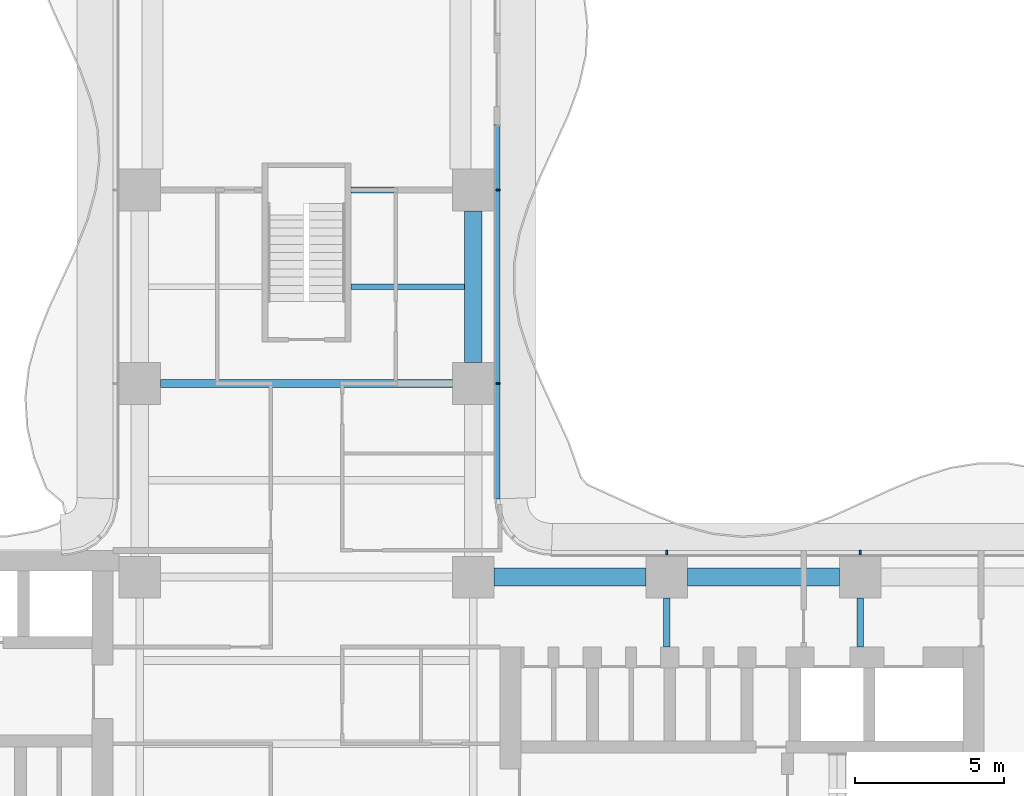
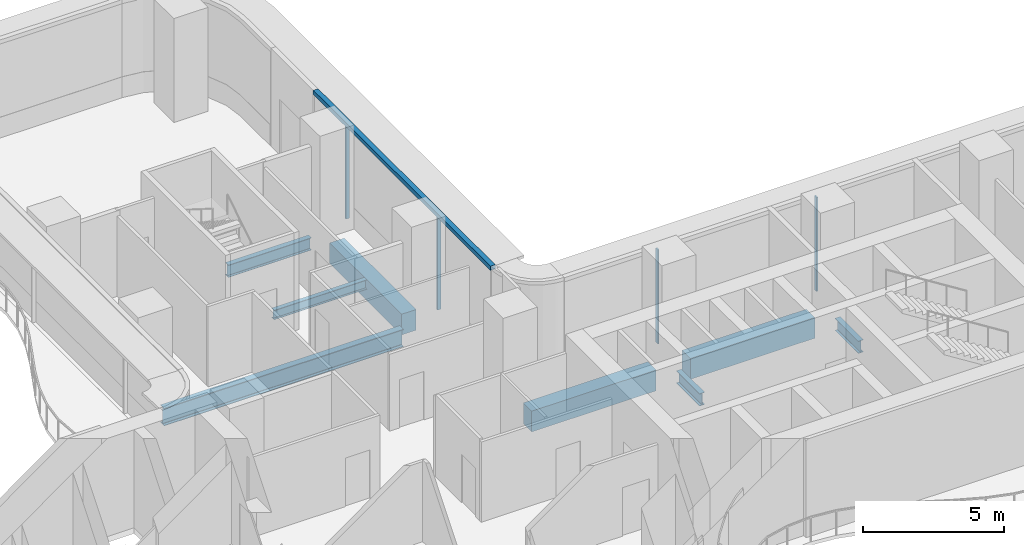
# One storey, part 10 of 22: 8 beams, 5 members, 2 elements without a shape of their own.
"""IFC4 building model written with IfcOpenShell, lengths in metres."""

import ifcopenshell
import ifcopenshell.guid

model = None  # the IFC model being written
_history = None  # IfcOwnerHistory: only IFC2X3 demands one
_inside = {}  # id of a spatial element -> (the spatial element, [elements in it])
_under = {}  # id of a project, library or spatial element -> (it, [spatial elements below it])
_declared = {}  # id of a project -> (the project, [libraries it declares])
_typed = {}  # id of a type object -> (the type object, [elements of that type])
_made_of = {}  # id of a material, layer set ... -> (it, [elements and type objects made of it])


def new_model(schema):
    """Start an empty IFC model of exactly this schema.

    Asked for "IFC4X3", IfcOpenShell would pick the latest addendum, in which some entities
    have other attributes; the version numbers below select the first issue.
    IFC2X3 requires an IfcOwnerHistory on every rooted entity: one is made here for all.
    """
    global model, _history
    if schema == "IFC4X3":
        model = ifcopenshell.file(schema_version=(4, 3, 0, 0))
    else:
        model = ifcopenshell.file(schema=schema)
    _inside.clear()
    _under.clear()
    _declared.clear()
    _typed.clear()
    _made_of.clear()
    _history = None
    if model.schema == "IFC2X3":
        org = make("IfcOrganization", Name="unknown")
        user = make(
            "IfcPersonAndOrganization",
            ThePerson=make("IfcPerson", FamilyName="unknown"),
            TheOrganization=org,
        )
        app = make(
            "IfcApplication",
            ApplicationDeveloper=org,
            Version="unknown",
            ApplicationFullName="unknown",
            ApplicationIdentifier="unknown",
        )
        _history = make(
            "IfcOwnerHistory",
            OwningUser=user,
            OwningApplication=app,
            ChangeAction="ADDED",
            CreationDate=0,
        )
    return model


def make(cls, **values):
    """One entity of the class cls with the attributes given. An attribute that is None is left unset."""
    return model.create_entity(
        cls, **{name: value for name, value in values.items() if value is not None}
    )


def rooted(cls, **values):
    """An entity with a GlobalId (a new one), such as an element, a storey or a relation."""
    return make(cls, GlobalId=ifcopenshell.guid.new(), OwnerHistory=_history, **values)


def si_unit(unit_type, name, prefix=None):
    """IfcSIUnit, for example si_unit("LENGTHUNIT", "METRE", prefix="MILLI")."""
    return make("IfcSIUnit", UnitType=unit_type, Prefix=prefix, Name=name)


def assignment(units):
    """IfcUnitAssignment: the units of a project."""
    return None if units is None else make("IfcUnitAssignment", Units=units)


def point(xyz):
    """IfcCartesianPoint."""
    return None if xyz is None else make("IfcCartesianPoint", Coordinates=xyz)


def direction(xyz):
    """IfcDirection."""
    return None if xyz is None else make("IfcDirection", DirectionRatios=xyz)


def frame(location, z_axis=None, x_axis=None):
    """IfcAxis2Placement3D, a coordinate frame: its origin and axes. An axis left out is left unset."""
    return make(
        "IfcAxis2Placement3D",
        Location=point(location),
        Axis=direction(z_axis),
        RefDirection=direction(x_axis),
    )


def frame_2d(location, x_axis=None):
    """IfcAxis2Placement2D, a coordinate frame in the plane: its origin and x axis."""
    return make(
        "IfcAxis2Placement2D", Location=point(location), RefDirection=direction(x_axis)
    )


def origin():
    """The frame at (0, 0, 0) with its axes left unset."""
    return frame((0.0, 0.0, 0.0))


def origin_2d():
    """The frame at (0, 0) in the plane with its x axis left unset."""
    return frame_2d((0.0, 0.0))


def place(relative_to, where):
    """IfcLocalPlacement: puts the frame where relative to a parent placement (None: the world)."""
    return make(
        "IfcLocalPlacement", PlacementRelTo=relative_to, RelativePlacement=where
    )


def context(
    kind, dimensions, precision=None, world=None, true_north=None, identifier=None
):
    """IfcGeometricRepresentationContext, for example the 3D "Model" context."""
    return make(
        "IfcGeometricRepresentationContext",
        ContextIdentifier=identifier,
        ContextType=kind,
        CoordinateSpaceDimension=dimensions,
        Precision=precision,
        WorldCoordinateSystem=world,
        TrueNorth=true_north,
    )


def subcontext(parent, identifier, kind, view, scale=None):
    """IfcGeometricRepresentationSubContext, for example "Body" below "Model"."""
    return make(
        "IfcGeometricRepresentationSubContext",
        ContextIdentifier=identifier,
        ContextType=kind,
        ParentContext=parent,
        TargetScale=scale,
        TargetView=view,
    )


def project(units=None, contexts=None):
    """IfcProject with its units and contexts."""
    return rooted(
        "IfcProject",
        Name="project",
        RepresentationContexts=contexts,
        UnitsInContext=assignment(units),
    )


def spatial(cls, under=None, at=None, **own):
    """A site, building, storey or space (cls), placed at a placement, below another one or the project."""
    s = rooted(cls, ObjectPlacement=at, **own)
    if under is not None:
        _under.setdefault(under.id(), (under, []))[1].append(s)
    return s


def polyline(points):
    """IfcPolyline through the points."""
    return make("IfcPolyline", Points=[point(p) for p in points])


def profile(cls, at=None, kind="AREA", **sizes):
    """A parametric profile (cls). Its sizes go by their IFC names, for example OverallWidth=200.0."""
    return make(cls, ProfileType=kind, Position=at, **sizes)


def rectangle(**sizes):
    """IfcRectangleProfileDef."""
    return profile("IfcRectangleProfileDef", **sizes)


def i_section(**sizes):
    """IfcIShapeProfileDef."""
    return profile("IfcIShapeProfileDef", **sizes)


def outline(outer, holes=None, kind="AREA"):
    """IfcArbitraryClosedProfileDef: a profile drawn as a closed curve; with holes, ...WithVoids."""
    if holes is None:
        return make("IfcArbitraryClosedProfileDef", ProfileType=kind, OuterCurve=outer)
    return make(
        "IfcArbitraryProfileDefWithVoids",
        ProfileType=kind,
        OuterCurve=outer,
        InnerCurves=holes,
    )


def extrude(swept, where, along, depth):
    """IfcExtrudedAreaSolid: the profile swept, set in the frame where, extruded along a direction by depth."""
    return make(
        "IfcExtrudedAreaSolid",
        SweptArea=swept,
        Position=where,
        ExtrudedDirection=direction(along),
        Depth=depth,
    )


def shape(context_of_items, identifier, shape_type, items):
    """IfcShapeRepresentation: the items that make up one representation, for example the "Body"."""
    return make(
        "IfcShapeRepresentation",
        ContextOfItems=context_of_items,
        RepresentationIdentifier=identifier,
        RepresentationType=shape_type,
        Items=items,
    )


def source(mapping_origin, context_of_items, identifier, shape_type, items):
    """IfcRepresentationMap: a shape defined once, which mapped items show again and again."""
    return make(
        "IfcRepresentationMap",
        MappingOrigin=mapping_origin,
        MappedRepresentation=shape(context_of_items, identifier, shape_type, items),
    )


def transform(
    local_origin,
    x_axis=None,
    y_axis=None,
    z_axis=None,
    scale=None,
    scale2=None,
    scale3=None,
    uniform=True,
):
    """IfcCartesianTransformationOperator3D, or its non-uniform kind. x_axis, y_axis, z_axis: its Axis1, 2, 3."""
    if uniform:
        return make(
            "IfcCartesianTransformationOperator3D",
            Axis1=direction(x_axis),
            Axis2=direction(y_axis),
            LocalOrigin=point(local_origin),
            Scale=scale,
            Axis3=direction(z_axis),
        )
    return make(
        "IfcCartesianTransformationOperator3DnonUniform",
        Axis1=direction(x_axis),
        Axis2=direction(y_axis),
        LocalOrigin=point(local_origin),
        Scale=scale,
        Axis3=direction(z_axis),
        Scale2=scale2,
        Scale3=scale3,
    )


def mapped(mapping_source, mapping_target):
    """IfcMappedItem: shows the shape of a source again, moved by a transform."""
    return make(
        "IfcMappedItem", MappingSource=mapping_source, MappingTarget=mapping_target
    )


def material(Name=None, Category=None):
    """IfcMaterial."""
    return make("IfcMaterial", Name=Name, Category=Category)


def layer(
    of_material, thickness, ventilated=None, Name=None, Category=None, Priority=None
):
    """IfcMaterialLayer: one layer of a wall or slab, of a material (None: an air gap)."""
    return make(
        "IfcMaterialLayer",
        Material=of_material,
        LayerThickness=thickness,
        IsVentilated=ventilated,
        Name=Name,
        Category=Category,
        Priority=Priority,
    )


def layer_set(layers, Name=None):
    """IfcMaterialLayerSet."""
    return make("IfcMaterialLayerSet", MaterialLayers=layers, LayerSetName=Name)


def material_profile(
    of_material, cross_section, Name=None, Category=None, Priority=None
):
    """IfcMaterialProfile: a cross section and its material."""
    return make(
        "IfcMaterialProfile",
        Name=Name,
        Material=of_material,
        Profile=cross_section,
        Priority=Priority,
        Category=Category,
    )


def profile_set(profiles, Name=None, composite=None):
    """IfcMaterialProfileSet."""
    return make(
        "IfcMaterialProfileSet",
        Name=Name,
        MaterialProfiles=profiles,
        CompositeProfile=composite,
    )


def made_of(thing, what):
    """Note that an element or type object is made of a material, layer set ...; save() writes the relation."""
    if what is not None:
        _made_of.setdefault(what.id(), (what, []))[1].append(thing)
    return thing


def type_object(cls, material=None, **own):
    """A type object (cls), such as IfcWallType, which elements share."""
    return made_of(rooted(cls, **own), material)


def element(
    cls,
    number,
    at=None,
    inside=None,
    cuts=None,
    type_object=None,
    material=None,
    context=None,
    identifier="Body",
    shape_type=None,
    held_by="IfcProductDefinitionShape",
    body=None,
    shapes=None,
    **own,
):
    """One element of the class cls, such as IfcWall. Its Tag is "e" and its number.

    at: its placement. inside: the storey or other place that contains it. cuts: it is an
    opening in that element (IfcRelVoidsElement). A single representation is given by context,
    identifier, shape_type and body (its items); several are given by shapes. held_by: the class
    of the entity that holds the representations. save() writes the other relations.
    """
    e = rooted(cls, Tag="e%d" % number, ObjectPlacement=at, **own)
    if body is not None:
        shapes = [shape(context, identifier, shape_type, body)]
    if shapes is not None:
        e.Representation = make(held_by, Representations=shapes)
    if inside is not None:
        _inside.setdefault(inside.id(), (inside, []))[1].append(e)
    if cuts is not None:
        rooted(
            "IfcRelVoidsElement", RelatingBuildingElement=cuts, RelatedOpeningElement=e
        )
    if type_object is not None:
        _typed.setdefault(type_object.id(), (type_object, []))[1].append(e)
    return made_of(e, material)


def aggregate(whole, parts):
    """IfcRelAggregates: a whole, such as a stair, and the parts it consists of."""
    return rooted("IfcRelAggregates", RelatingObject=whole, RelatedObjects=parts)


def save(model, path):
    """Write the relations noted so far, then the file.

    IfcRelAggregates (storeys below a building ...), IfcRelContainedInSpatialStructure (elements
    in a storey), IfcRelDefinesByType, IfcRelAssociatesMaterial and IfcRelDeclares: one each for
    every whole, place, type object, material and project.
    """
    for whole, parts in _under.values():
        aggregate(whole, parts)
    for where, things in _inside.values():
        rooted(
            "IfcRelContainedInSpatialStructure",
            RelatedElements=things,
            RelatingStructure=where,
        )
    for kind, things in _typed.values():
        rooted("IfcRelDefinesByType", RelatedObjects=things, RelatingType=kind)
    for what, things in _made_of.values():
        rooted("IfcRelAssociatesMaterial", RelatedObjects=things, RelatingMaterial=what)
    for by, libraries in _declared.values():
        rooted("IfcRelDeclares", RelatingContext=by, RelatedDefinitions=libraries)
    model.write(path)


model = new_model("IFC4")

# Units and contexts
model_context = context("Model", 3, precision=1e-05, world=origin(), true_north=direction((0.0, 1.0)))
body_context = subcontext(model_context, "Body", "Model", "MODEL_VIEW")
ifc_project = project(units=[si_unit("LENGTHUNIT", "METRE"), si_unit("AREAUNIT", "SQUARE_METRE"), si_unit("VOLUMEUNIT", "CUBIC_METRE"), si_unit("PLANEANGLEUNIT", "RADIAN"), si_unit("MASSUNIT", "GRAM", prefix="KILO")], contexts=[model_context])

# Site, building, storey
site_placement = place(None, origin())
site = spatial("IfcSite", under=ifc_project, at=site_placement, CompositionType="ELEMENT")
building_placement = place(site_placement, origin())
building = spatial("IfcBuilding", under=site, at=building_placement, Name="Trellis Farm Tower", CompositionType="ELEMENT")
storey_placement = place(building_placement, frame((0.0, 0.0, 47.5)))
storey = spatial("IfcBuildingStorey", under=building, at=storey_placement, Name="L09", CompositionType="ELEMENT", Elevation=47.5)

# Beams
ifc_material_1 = material(Name="Steel S355", Category="steel")
ifc_material_profile_1 = material_profile(ifc_material_1, i_section(OverallWidth=0.209228515625, OverallDepth=0.533203125, WebThickness=0.010009765625, FlangeThickness=0.015625, FilletRadius=0.0126953125, at=origin_2d()), Name="UB 533x210x92")
ifc_profile_set_1 = profile_set([ifc_material_profile_1], Name="Steel S355")
beam_type_1 = type_object("IfcBeamType", Name="UB 533x210x92", PredefinedType="BEAM", material=ifc_profile_set_1)
shared_shape_1 = source(origin(), body_context, "Body", "SweptSolid", [
    extrude(i_section(OverallWidth=0.209228515625, OverallDepth=0.533203125, WebThickness=0.010009765625, FlangeThickness=0.015625, FilletRadius=0.0126953125, at=origin_2d()), origin(), (0.0, 0.0, 1.0), 3.39990234375),
])
beam_1_placement = place(storey_placement, frame((1.5, 18.60009765625, -0.5166015625), z_axis=(1.0, 0.0, 0.0), x_axis=(0.0, 1.0, 0.0)))
element("IfcBeam", 1, at=beam_1_placement, inside=storey, type_object=beam_type_1, Name="Girder", PredefinedType="BEAM", context=body_context, shape_type="MappedRepresentation", body=[
    mapped(shared_shape_1, transform((0.0, 0.0, 0.0))),
])
ifc_material_2 = material(Name="Concrete C60/75", Category="concrete")
ifc_material_profile_2 = material_profile(ifc_material_2, rectangle(XDim=0.60009765625, YDim=0.89990234375, at=origin_2d()), Name="RC spandrel beam 600x900 C60/75")
ifc_profile_set_2 = profile_set([ifc_material_profile_2], Name="Concrete C60/75")
beam_type_2 = type_object("IfcBeamType", Name="RC spandrel beam 600x900 C60/75", PredefinedType="SPANDREL", material=ifc_profile_set_2)
shared_shape_2 = source(origin(), body_context, "Body", "SweptSolid", [
    extrude(rectangle(XDim=0.60009765625, YDim=0.89990234375, at=origin_2d()), origin(), (0.0, 0.0, 1.0), 5.099853515625),
])
for number, where, z_axis, x_axis, name in (
    (2, (6.300048828125, 5.60009765625, -0.699951171875), (1.0, 0.0, 0.0), (0.0, 1.0, 0.0), "Girder"),
    (3, (12.800048828125, 5.60009765625, -0.699951171875), (1.0, 0.0, 0.0), (0.0, 1.0, 0.0), "Girder"),
    (4, (5.60009765625, 12.800048828125, -0.699951171875), (0.0, 1.0, 0.0), (-1.0, 0.0, 0.0), "Girder"),
):
    element("IfcBeam", number, at=place(storey_placement, frame(where, z_axis=z_axis, x_axis=x_axis)), inside=storey, type_object=beam_type_2, Name=name, PredefinedType="SPANDREL", context=body_context, shape_type="MappedRepresentation", body=[
        mapped(shared_shape_2, transform((0.0, 0.0, 0.0))),
    ])
ifc_material_profile_3 = material_profile(ifc_material_1, i_section(OverallWidth=0.2666015625, OverallDepth=0.76220703125, WebThickness=0.014404296875, FlangeThickness=0.021484375, FilletRadius=0.0166015625, at=origin_2d()), Name="UB 762x267x173")
ifc_profile_set_3 = profile_set([ifc_material_profile_3], Name="Steel S355")
beam_type_3 = type_object("IfcBeamType", Name="UB 762x267x173", PredefinedType="BEAM", material=ifc_profile_set_3)
shared_shape_3 = source(origin(), body_context, "Body", "SweptSolid", [
    extrude(i_section(OverallWidth=0.2666015625, OverallDepth=0.76220703125, WebThickness=0.014404296875, FlangeThickness=0.021484375, FilletRadius=0.0166015625, at=origin_2d()), origin(), (0.0, 0.0, 1.0), 9.7998046875),
])
beam_2_placement = place(storey_placement, frame((-4.89990234375, 12.10009765625, -0.631103515625), z_axis=(1.0, 0.0, 0.0), x_axis=(0.0, 1.0, 0.0)))
element("IfcBeam", 5, at=beam_2_placement, inside=storey, type_object=beam_type_3, Name="Girder", PredefinedType="BEAM", context=body_context, shape_type="MappedRepresentation", body=[
    mapped(shared_shape_3, transform((0.0, 0.0, 0.0))),
])
shared_shape_4 = source(origin(), body_context, "Body", "SweptSolid", [
    extrude(i_section(OverallWidth=0.209228515625, OverallDepth=0.533203125, WebThickness=0.010009765625, FlangeThickness=0.015625, FilletRadius=0.0126953125, at=origin_2d()), origin(), (0.0, 0.0, 1.0), 1.64990234375),
])
for number, where, z_axis, x_axis, name in (
    (6, (12.10009765625, 3.25, -0.5166015625), (0.0, 1.0, 0.0), (-1.0, 0.0, 0.0), "Girder"),
    (7, (18.60009765625, 3.25, -0.5166015625), (0.0, 1.0, 0.0), (-1.0, 0.0, 0.0), "Girder"),
):
    element("IfcBeam", number, at=place(storey_placement, frame(where, z_axis=z_axis, x_axis=x_axis)), inside=storey, type_object=beam_type_1, Name=name, PredefinedType="BEAM", context=body_context, shape_type="MappedRepresentation", body=[
        mapped(shared_shape_4, transform((0.0, 0.0, 0.0))),
    ])
ifc_material_profile_4 = material_profile(ifc_material_1, i_section(OverallWidth=0.177978515625, OverallDepth=0.406494140625, WebThickness=0.0078125, FlangeThickness=0.0126953125, FilletRadius=0.01025390625, at=origin_2d()), Name="UB 406x178x60")
ifc_profile_set_4 = profile_set([ifc_material_profile_4], Name="Steel S355")
beam_type_4 = type_object("IfcBeamType", Name="UB 406x178x60 joist", PredefinedType="JOIST", material=ifc_profile_set_4)
shared_shape_5 = source(origin(), body_context, "Body", "SweptSolid", [
    extrude(i_section(OverallWidth=0.177978515625, OverallDepth=0.406494140625, WebThickness=0.0078125, FlangeThickness=0.0126953125, FilletRadius=0.01025390625, at=origin_2d()), origin(), (0.0, 0.0, 1.0), 3.800048828125),
])
beam_3_placement = place(storey_placement, frame((1.5, 15.35009765625, -0.453125), z_axis=(1.0, 0.0, 0.0), x_axis=(0.0, 1.0, 0.0)))
element("IfcBeam", 8, at=beam_3_placement, inside=storey, type_object=beam_type_4, Name="Floor beam", PredefinedType="JOIST", context=body_context, shape_type="MappedRepresentation", body=[
    mapped(shared_shape_5, transform((0.0, 0.0, 0.0))),
])

# Curtain wall, members
ifc_material_3 = material(Name="Aluminium and glass curtain wall", Category="aluminium")
ifc_layer_1 = layer(ifc_material_3, 0.18994140625)
ifc_layer_set_1 = layer_set([ifc_layer_1], Name="RIBBON CURTAIN WALL CW1")
curtain_wall_type = type_object("IfcCurtainWallType", Name="RIBBON CURTAIN WALL CW1", PredefinedType="NOTDEFINED", material=ifc_layer_set_1)
placement = place(storey_placement, origin())
curtain_wall_1 = element("IfcCurtainWall", 9, at=placement, inside=storey, type_object=curtain_wall_type, Name="CW1 007", PredefinedType="NOTDEFINED")
ifc_material_4 = material(Name="Aluminium extrusion 6063-T6", Category="aluminium")
ifc_material_profile_5 = material_profile(ifc_material_4, rectangle(XDim=0.06005859375, YDim=0.14990234375, at=origin_2d()), Name="MULLION 60x150")
ifc_profile_set_5 = profile_set([ifc_material_profile_5], Name="Aluminium extrusion 6063-T6")
member_type_1 = type_object("IfcMemberType", Name="CW1 MULLION 60x150", PredefinedType="MULLION", material=ifc_profile_set_5)
shared_shape_6 = source(origin(), body_context, "Body", "SweptSolid", [
    extrude(rectangle(XDim=0.06005859375, YDim=0.14990234375, at=origin_2d()), origin(), (0.0, 0.0, 1.0), 4.070068359375),
])
member_1_placement = place(storey_placement, frame((18.60009765625, 6.425048828125, 0.0), z_axis=(0.0, 0.0, 1.0), x_axis=(-1.0, 0.0, 0.0)))
member_1 = element("IfcMember", 10, at=member_1_placement, type_object=member_type_1, Name="MU1 007-02", PredefinedType="MULLION", context=body_context, shape_type="MappedRepresentation", body=[
    mapped(shared_shape_6, transform((0.0, 0.0, 0.0))),
])
member_2_placement = place(storey_placement, frame((12.10009765625, 6.425048828125, 0.0), z_axis=(0.0, 0.0, 1.0), x_axis=(-1.0, 0.0, 0.0)))
member_2 = element("IfcMember", 11, at=member_2_placement, type_object=member_type_1, Name="MU1 007-03", PredefinedType="MULLION", context=body_context, shape_type="MappedRepresentation", body=[
    mapped(shared_shape_6, transform((0.0, 0.0, 0.0))),
])
aggregate(curtain_wall_1, [member_1, member_2])

curtain_wall_2 = element("IfcCurtainWall", 12, at=placement, inside=storey, type_object=curtain_wall_type, Name="CW1 008", PredefinedType="NOTDEFINED")
member_3_placement = place(storey_placement, frame((6.425048828125, 12.10009765625, 0.0), z_axis=(0.0, 0.0, 1.0), x_axis=(0.0, 1.0, 0.0)))
member_3 = element("IfcMember", 13, at=member_3_placement, type_object=member_type_1, Name="MU1 008-01", PredefinedType="MULLION", context=body_context, shape_type="MappedRepresentation", body=[
    mapped(shared_shape_6, transform((0.0, 0.0, 0.0))),
])
member_4_placement = place(storey_placement, frame((6.425048828125, 18.60009765625, 0.0), z_axis=(0.0, 0.0, 1.0), x_axis=(0.0, 1.0, 0.0)))
member_4 = element("IfcMember", 14, at=member_4_placement, type_object=member_type_1, Name="MU1 008-02", PredefinedType="MULLION", context=body_context, shape_type="MappedRepresentation", body=[
    mapped(shared_shape_6, transform((0.0, 0.0, 0.0))),
])
ifc_layer_2 = layer(ifc_material_4, 0.199951171875)
ifc_layer_set_2 = layer_set([ifc_layer_2], Name="Aluminium extrusion 6063-T6")
member_type_2 = type_object("IfcMemberType", Name="CW1 TRANSOM 200x180", PredefinedType="USERDEFINED", material=ifc_layer_set_2)
shared_shape_7 = source(origin(), body_context, "Body", "SweptSolid", [
    extrude(outline(polyline([(6.5, 8.2314453125), (6.5, 20.800048828125), (6.300048828125, 20.800048828125), (6.300048828125, 8.224853515625), (6.5, 8.2314453125)])), origin(), (0.0, 0.0, 1.0), 0.179931640625),
])
member_5_placement = place(storey_placement, frame((0.0, 0.0, 4.070068359375)))
member_5 = element("IfcMember", 15, at=member_5_placement, type_object=member_type_2, Name="TR1 008", ObjectType="TRANSOM", PredefinedType="USERDEFINED", context=body_context, shape_type="MappedRepresentation", body=[
    mapped(shared_shape_7, transform((0.0, 0.0, 0.0))),
])
aggregate(curtain_wall_2, [member_3, member_4, member_5])

save(model, "model.ifc")
